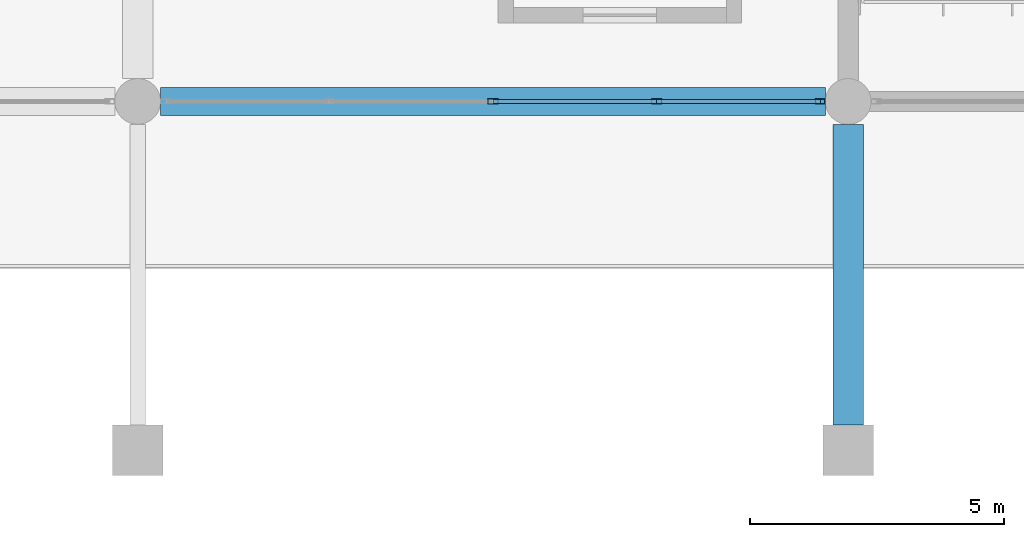
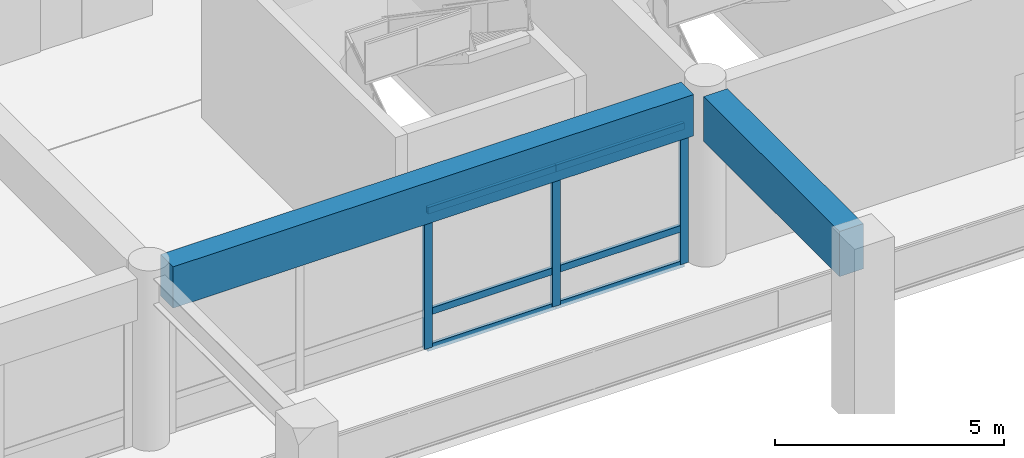
# One storey, part 45 of 91: 9 members, 2 beams, 1 element without a shape of its own.
"""IFC4 building model written with IfcOpenShell, lengths in metres."""

from ifc_helpers import new_model, si_unit, direction, frame, origin, origin_2d, place, context, subcontext, project, spatial, rectangle, hollow_rectangle, extrude, material, material_profile, profile_set, type_object, element, aggregate, save


model = new_model("IFC4")

# Units and contexts
model_context = context("Model", 3, precision=1e-05, world=origin(), true_north=direction((0.0, 1.0)))
body_context = subcontext(model_context, "Body", "Model", "MODEL_VIEW")
ifc_project = project(units=[si_unit("LENGTHUNIT", "METRE"), si_unit("AREAUNIT", "SQUARE_METRE"), si_unit("VOLUMEUNIT", "CUBIC_METRE"), si_unit("PLANEANGLEUNIT", "RADIAN"), si_unit("MASSUNIT", "GRAM", prefix="KILO")], contexts=[model_context])

# Site, building, storey
site_placement = place(None, origin())
site = spatial("IfcSite", under=ifc_project, at=site_placement, CompositionType="ELEMENT")
building_placement = place(site_placement, origin())
building = spatial("IfcBuilding", under=site, at=building_placement, Name="Linyun Crest Stadium", CompositionType="ELEMENT")
storey_placement = place(building_placement, frame((0.0, 0.0, 11.39990234375)))
storey = spatial("IfcBuildingStorey", under=building, at=storey_placement, Name="L03", CompositionType="ELEMENT", Elevation=11.39990234375)

# Curtain wall, members
ifc_material_1 = material(Name="Verdigris steel and low-E curtain wall assembly", Category="steel")
curtain_wall_type = type_object("IfcCurtainWallType", Name="MCW02", PredefinedType="NOTDEFINED", material=ifc_material_1)
curtain_wall_placement = place(storey_placement, origin())
curtain_wall = element("IfcCurtainWall", 1, at=curtain_wall_placement, inside=storey, type_object=curtain_wall_type, Name="CWR-142", PredefinedType="NOTDEFINED")
ifc_material_2 = material(Name="Verdigris painted steel Q355C mullion", Category="steel")
ifc_material_profile_1 = material_profile(ifc_material_2, hollow_rectangle(XDim=0.10009765625, YDim=0.199951171875, WallThickness=0.008056640625, at=origin_2d()), Name="RHS 200x100x8")
ifc_profile_set_1 = profile_set([ifc_material_profile_1], Name="Verdigris painted steel Q355C mullion")
member_type_1 = type_object("IfcMemberType", Name="ML03", PredefinedType="MULLION", material=ifc_profile_set_1)
member_1_placement = place(storey_placement, frame((7.0, 91.5, 0.0), z_axis=(0.0, 0.0, 1.0), x_axis=(0.0, 1.0, 0.0)))
member_1 = element("IfcMember", 2, at=member_1_placement, type_object=member_type_1, Name="CWR-142 mullion 3", PredefinedType="MULLION", context=body_context, shape_type="SweptSolid", body=[
    extrude(hollow_rectangle(XDim=0.10009765625, YDim=0.199951171875, WallThickness=0.008056640625, at=origin_2d()), origin(), (0.0, 0.0, 1.0), 3.650146484375),
])
member_2_placement = place(storey_placement, frame((10.22509765625, 91.5, 0.0), z_axis=(0.0, 0.0, 1.0), x_axis=(0.0, 1.0, 0.0)))
member_2 = element("IfcMember", 3, at=member_2_placement, type_object=member_type_1, Name="CWR-142 mullion 4", PredefinedType="MULLION", context=body_context, shape_type="SweptSolid", body=[
    extrude(hollow_rectangle(XDim=0.10009765625, YDim=0.199951171875, WallThickness=0.008056640625, at=origin_2d()), origin(), (0.0, 0.0, 1.0), 3.650146484375),
])
member_3_placement = place(storey_placement, frame((13.449951171875, 91.5, 0.0), z_axis=(0.0, 0.0, 1.0), x_axis=(0.0, 1.0, 0.0)))
member_3 = element("IfcMember", 4, at=member_3_placement, type_object=member_type_1, Name="CWR-142 mullion 5", PredefinedType="MULLION", context=body_context, shape_type="SweptSolid", body=[
    extrude(hollow_rectangle(XDim=0.10009765625, YDim=0.199951171875, WallThickness=0.008056640625, at=origin_2d()), origin(), (0.0, 0.0, 1.0), 3.650146484375),
])

# Beams
ifc_material_3 = material(Name="Concrete C50", Category="concrete")
ifc_material_profile_2 = material_profile(ifc_material_3, rectangle(XDim=0.550048828125, YDim=1.10009765625, at=origin_2d()), Name="RCB 1100x550")
ifc_profile_set_2 = profile_set([ifc_material_profile_2], Name="Concrete C50")
beam_type_1 = type_object("IfcBeamType", Name="TB01", PredefinedType="USERDEFINED", material=ifc_profile_set_2)
beam_1_placement = place(storey_placement, frame((0.449951171875, 91.5, 4.050048828125), z_axis=(1.0, 0.0, 0.0), x_axis=(0.0, 1.0, 0.0)))
element("IfcBeam", 5, at=beam_1_placement, inside=storey, type_object=beam_type_1, Name="Frame beam TB01 L03 801", ObjectType="GIRDER", PredefinedType="USERDEFINED", context=body_context, shape_type="SweptSolid", body=[
    extrude(rectangle(XDim=0.550048828125, YDim=1.10009765625, at=origin_2d()), origin(), (0.0, 0.0, 1.0), 13.10009765625),
])
ifc_material_4 = material(Name="Concrete C50", Category="concrete")
ifc_material_profile_3 = material_profile(ifc_material_4, rectangle(XDim=0.60009765625, YDim=1.199951171875, at=origin_2d()), Name="RCB 1200x600")
ifc_profile_set_3 = profile_set([ifc_material_profile_3], Name="Concrete C50")
beam_type_2 = type_object("IfcBeamType", Name="TB02", PredefinedType="USERDEFINED", material=ifc_profile_set_3)
beam_2_placement = place(storey_placement, frame((14.0, 85.125, 4.0), z_axis=(0.0, 1.0, 0.0), x_axis=(-1.0, 0.0, 0.0)))
element("IfcBeam", 6, at=beam_2_placement, inside=storey, type_object=beam_type_2, Name="Frame beam TB02 L03 808", ObjectType="GIRDER", PredefinedType="USERDEFINED", context=body_context, shape_type="SweptSolid", body=[
    extrude(rectangle(XDim=0.60009765625, YDim=1.199951171875, at=origin_2d()), origin(), (0.0, 0.0, 1.0), 5.925048828125),
])

# Member
ifc_material_5 = material(Name="Verdigris painted steel Q355B transom", Category="steel")
ifc_material_profile_4 = material_profile(ifc_material_5, hollow_rectangle(XDim=0.080078125, YDim=0.179931640625, WallThickness=0.006103515625, at=origin_2d()), Name="RHS 180x80x6")
ifc_profile_set_4 = profile_set([ifc_material_profile_4], Name="Verdigris painted steel Q355B transom")
member_type_2 = type_object("IfcMemberType", Name="TR02", PredefinedType="USERDEFINED", material=ifc_profile_set_4)
member_4_placement = place(storey_placement, frame((7.0, 91.5, 0.0), z_axis=(1.0, 0.0, 0.0), x_axis=(0.0, 1.0, 0.0)))
member_4 = element("IfcMember", 7, at=member_4_placement, type_object=member_type_2, Name="CWR-142 transom 3.1", ObjectType="TRANSOM", PredefinedType="USERDEFINED", context=body_context, shape_type="SweptSolid", body=[
    extrude(hollow_rectangle(XDim=0.080078125, YDim=0.179931640625, WallThickness=0.006103515625, at=origin_2d()), origin(), (0.0, 0.0, 1.0), 3.22509765625),
])

member_5_placement = place(storey_placement, frame((7.0, 91.5, 0.9501953125), z_axis=(1.0, 0.0, 0.0), x_axis=(0.0, 1.0, 0.0)))
member_5 = element("IfcMember", 8, at=member_5_placement, type_object=member_type_2, Name="CWR-142 transom 3.2", ObjectType="TRANSOM", PredefinedType="USERDEFINED", context=body_context, shape_type="SweptSolid", body=[
    extrude(hollow_rectangle(XDim=0.080078125, YDim=0.179931640625, WallThickness=0.006103515625, at=origin_2d()), origin(), (0.0, 0.0, 1.0), 3.22509765625),
])

member_6_placement = place(storey_placement, frame((7.0, 91.5, 3.650146484375), z_axis=(1.0, 0.0, 0.0), x_axis=(0.0, 1.0, 0.0)))
member_6 = element("IfcMember", 9, at=member_6_placement, type_object=member_type_2, Name="CWR-142 transom 3.3", ObjectType="TRANSOM", PredefinedType="USERDEFINED", context=body_context, shape_type="SweptSolid", body=[
    extrude(hollow_rectangle(XDim=0.080078125, YDim=0.179931640625, WallThickness=0.006103515625, at=origin_2d()), origin(), (0.0, 0.0, 1.0), 3.22509765625),
])

member_7_placement = place(storey_placement, frame((10.22509765625, 91.5, 0.0), z_axis=(1.0, 0.0, 0.0), x_axis=(0.0, 1.0, 0.0)))
member_7 = element("IfcMember", 10, at=member_7_placement, type_object=member_type_2, Name="CWR-142 transom 4.1", ObjectType="TRANSOM", PredefinedType="USERDEFINED", context=body_context, shape_type="SweptSolid", body=[
    extrude(hollow_rectangle(XDim=0.080078125, YDim=0.179931640625, WallThickness=0.006103515625, at=origin_2d()), origin(), (0.0, 0.0, 1.0), 3.224853515625),
])

member_8_placement = place(storey_placement, frame((10.22509765625, 91.5, 0.9501953125), z_axis=(1.0, 0.0, 0.0), x_axis=(0.0, 1.0, 0.0)))
member_8 = element("IfcMember", 11, at=member_8_placement, type_object=member_type_2, Name="CWR-142 transom 4.2", ObjectType="TRANSOM", PredefinedType="USERDEFINED", context=body_context, shape_type="SweptSolid", body=[
    extrude(hollow_rectangle(XDim=0.080078125, YDim=0.179931640625, WallThickness=0.006103515625, at=origin_2d()), origin(), (0.0, 0.0, 1.0), 3.224853515625),
])

member_9_placement = place(storey_placement, frame((10.22509765625, 91.5, 3.650146484375), z_axis=(1.0, 0.0, 0.0), x_axis=(0.0, 1.0, 0.0)))
member_9 = element("IfcMember", 12, at=member_9_placement, type_object=member_type_2, Name="CWR-142 transom 4.3", ObjectType="TRANSOM", PredefinedType="USERDEFINED", context=body_context, shape_type="SweptSolid", body=[
    extrude(hollow_rectangle(XDim=0.080078125, YDim=0.179931640625, WallThickness=0.006103515625, at=origin_2d()), origin(), (0.0, 0.0, 1.0), 3.224853515625),
])

aggregate(curtain_wall, [member_1, member_2, member_3, member_4, member_5, member_6, member_7, member_8, member_9])

save(model, "model.ifc")
